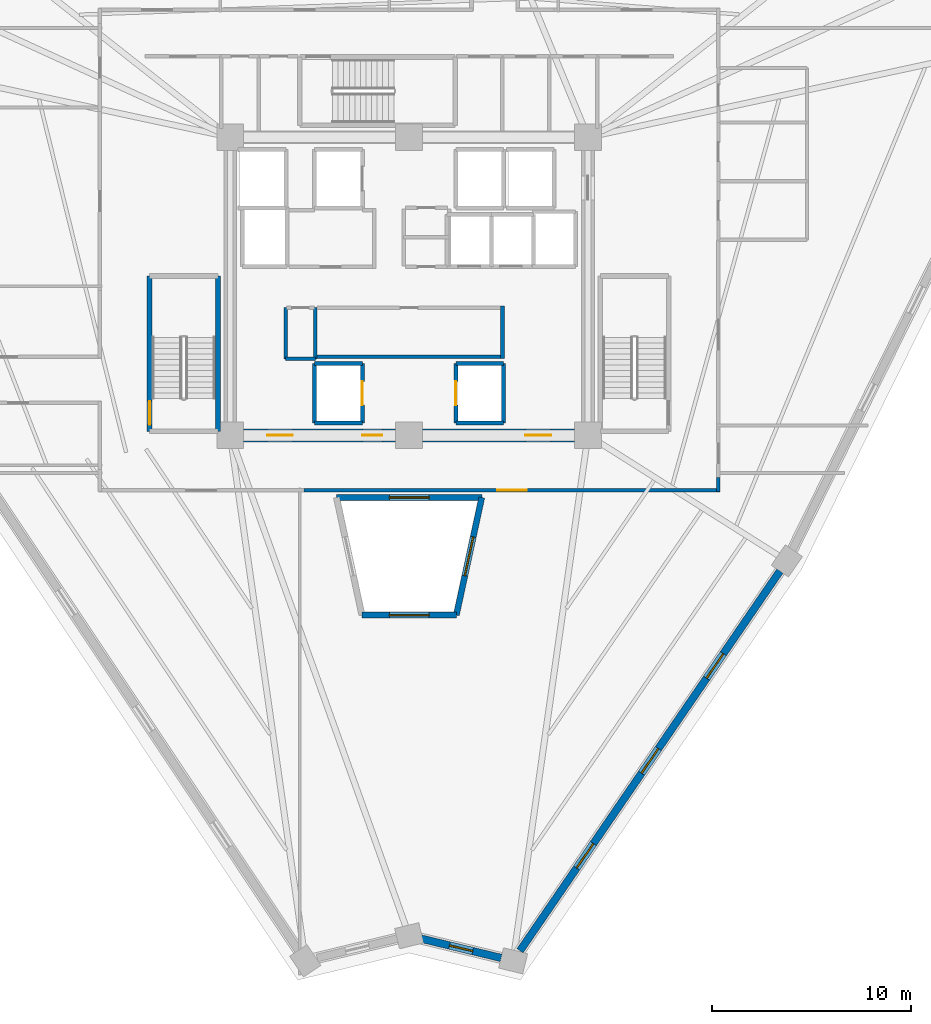
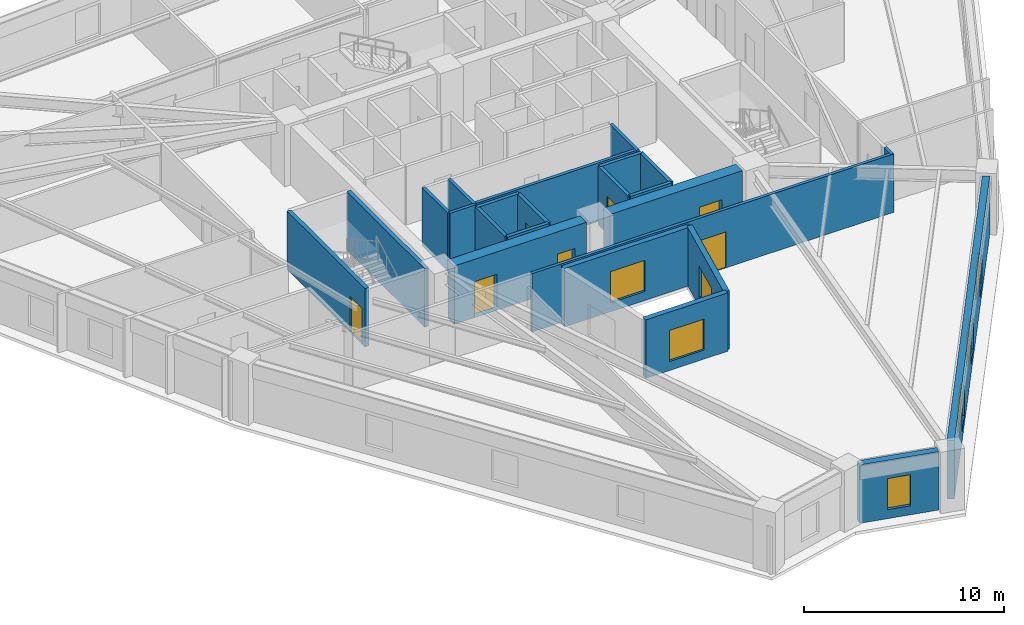
# One storey, part 3 of 8: 24 walls, 7 doors, 7 windows, 14 openings.
"""IFC4 building model written with IfcOpenShell, lengths in metres."""

import ifcopenshell
import ifcopenshell.guid

model = None  # the IFC model being written
_history = None  # IfcOwnerHistory: only IFC2X3 demands one
_inside = {}  # id of a spatial element -> (the spatial element, [elements in it])
_under = {}  # id of a project, library or spatial element -> (it, [spatial elements below it])
_declared = {}  # id of a project -> (the project, [libraries it declares])
_typed = {}  # id of a type object -> (the type object, [elements of that type])
_made_of = {}  # id of a material, layer set ... -> (it, [elements and type objects made of it])


def new_model(schema):
    """Start an empty IFC model of exactly this schema.

    Asked for "IFC4X3", IfcOpenShell would pick the latest addendum, in which some entities
    have other attributes; the version numbers below select the first issue.
    IFC2X3 requires an IfcOwnerHistory on every rooted entity: one is made here for all.
    """
    global model, _history
    if schema == "IFC4X3":
        model = ifcopenshell.file(schema_version=(4, 3, 0, 0))
    else:
        model = ifcopenshell.file(schema=schema)
    _inside.clear()
    _under.clear()
    _declared.clear()
    _typed.clear()
    _made_of.clear()
    _history = None
    if model.schema == "IFC2X3":
        org = make("IfcOrganization", Name="unknown")
        user = make(
            "IfcPersonAndOrganization",
            ThePerson=make("IfcPerson", FamilyName="unknown"),
            TheOrganization=org,
        )
        app = make(
            "IfcApplication",
            ApplicationDeveloper=org,
            Version="unknown",
            ApplicationFullName="unknown",
            ApplicationIdentifier="unknown",
        )
        _history = make(
            "IfcOwnerHistory",
            OwningUser=user,
            OwningApplication=app,
            ChangeAction="ADDED",
            CreationDate=0,
        )
    return model


def make(cls, **values):
    """One entity of the class cls with the attributes given. An attribute that is None is left unset."""
    return model.create_entity(
        cls, **{name: value for name, value in values.items() if value is not None}
    )


def rooted(cls, **values):
    """An entity with a GlobalId (a new one), such as an element, a storey or a relation."""
    return make(cls, GlobalId=ifcopenshell.guid.new(), OwnerHistory=_history, **values)


def si_unit(unit_type, name, prefix=None):
    """IfcSIUnit, for example si_unit("LENGTHUNIT", "METRE", prefix="MILLI")."""
    return make("IfcSIUnit", UnitType=unit_type, Prefix=prefix, Name=name)


def assignment(units):
    """IfcUnitAssignment: the units of a project."""
    return None if units is None else make("IfcUnitAssignment", Units=units)


def point(xyz):
    """IfcCartesianPoint."""
    return None if xyz is None else make("IfcCartesianPoint", Coordinates=xyz)


def direction(xyz):
    """IfcDirection."""
    return None if xyz is None else make("IfcDirection", DirectionRatios=xyz)


def frame(location, z_axis=None, x_axis=None):
    """IfcAxis2Placement3D, a coordinate frame: its origin and axes. An axis left out is left unset."""
    return make(
        "IfcAxis2Placement3D",
        Location=point(location),
        Axis=direction(z_axis),
        RefDirection=direction(x_axis),
    )


def frame_2d(location, x_axis=None):
    """IfcAxis2Placement2D, a coordinate frame in the plane: its origin and x axis."""
    return make(
        "IfcAxis2Placement2D", Location=point(location), RefDirection=direction(x_axis)
    )


def origin():
    """The frame at (0, 0, 0) with its axes left unset."""
    return frame((0.0, 0.0, 0.0))


def place(relative_to, where):
    """IfcLocalPlacement: puts the frame where relative to a parent placement (None: the world)."""
    return make(
        "IfcLocalPlacement", PlacementRelTo=relative_to, RelativePlacement=where
    )


def context(
    kind, dimensions, precision=None, world=None, true_north=None, identifier=None
):
    """IfcGeometricRepresentationContext, for example the 3D "Model" context."""
    return make(
        "IfcGeometricRepresentationContext",
        ContextIdentifier=identifier,
        ContextType=kind,
        CoordinateSpaceDimension=dimensions,
        Precision=precision,
        WorldCoordinateSystem=world,
        TrueNorth=true_north,
    )


def subcontext(parent, identifier, kind, view, scale=None):
    """IfcGeometricRepresentationSubContext, for example "Body" below "Model"."""
    return make(
        "IfcGeometricRepresentationSubContext",
        ContextIdentifier=identifier,
        ContextType=kind,
        ParentContext=parent,
        TargetScale=scale,
        TargetView=view,
    )


def project(units=None, contexts=None):
    """IfcProject with its units and contexts."""
    return rooted(
        "IfcProject",
        Name="project",
        RepresentationContexts=contexts,
        UnitsInContext=assignment(units),
    )


def spatial(cls, under=None, at=None, **own):
    """A site, building, storey or space (cls), placed at a placement, below another one or the project."""
    s = rooted(cls, ObjectPlacement=at, **own)
    if under is not None:
        _under.setdefault(under.id(), (under, []))[1].append(s)
    return s


def profile(cls, at=None, kind="AREA", **sizes):
    """A parametric profile (cls). Its sizes go by their IFC names, for example OverallWidth=200.0."""
    return make(cls, ProfileType=kind, Position=at, **sizes)


def rectangle(**sizes):
    """IfcRectangleProfileDef."""
    return profile("IfcRectangleProfileDef", **sizes)


def extrude(swept, where, along, depth):
    """IfcExtrudedAreaSolid: the profile swept, set in the frame where, extruded along a direction by depth."""
    return make(
        "IfcExtrudedAreaSolid",
        SweptArea=swept,
        Position=where,
        ExtrudedDirection=direction(along),
        Depth=depth,
    )


def shape(context_of_items, identifier, shape_type, items):
    """IfcShapeRepresentation: the items that make up one representation, for example the "Body"."""
    return make(
        "IfcShapeRepresentation",
        ContextOfItems=context_of_items,
        RepresentationIdentifier=identifier,
        RepresentationType=shape_type,
        Items=items,
    )


def source(mapping_origin, context_of_items, identifier, shape_type, items):
    """IfcRepresentationMap: a shape defined once, which mapped items show again and again."""
    return make(
        "IfcRepresentationMap",
        MappingOrigin=mapping_origin,
        MappedRepresentation=shape(context_of_items, identifier, shape_type, items),
    )


def transform(
    local_origin,
    x_axis=None,
    y_axis=None,
    z_axis=None,
    scale=None,
    scale2=None,
    scale3=None,
    uniform=True,
):
    """IfcCartesianTransformationOperator3D, or its non-uniform kind. x_axis, y_axis, z_axis: its Axis1, 2, 3."""
    if uniform:
        return make(
            "IfcCartesianTransformationOperator3D",
            Axis1=direction(x_axis),
            Axis2=direction(y_axis),
            LocalOrigin=point(local_origin),
            Scale=scale,
            Axis3=direction(z_axis),
        )
    return make(
        "IfcCartesianTransformationOperator3DnonUniform",
        Axis1=direction(x_axis),
        Axis2=direction(y_axis),
        LocalOrigin=point(local_origin),
        Scale=scale,
        Axis3=direction(z_axis),
        Scale2=scale2,
        Scale3=scale3,
    )


def mapped(mapping_source, mapping_target):
    """IfcMappedItem: shows the shape of a source again, moved by a transform."""
    return make(
        "IfcMappedItem", MappingSource=mapping_source, MappingTarget=mapping_target
    )


def material(Name=None, Category=None):
    """IfcMaterial."""
    return make("IfcMaterial", Name=Name, Category=Category)


def layer(
    of_material, thickness, ventilated=None, Name=None, Category=None, Priority=None
):
    """IfcMaterialLayer: one layer of a wall or slab, of a material (None: an air gap)."""
    return make(
        "IfcMaterialLayer",
        Material=of_material,
        LayerThickness=thickness,
        IsVentilated=ventilated,
        Name=Name,
        Category=Category,
        Priority=Priority,
    )


def layer_set(layers, Name=None):
    """IfcMaterialLayerSet."""
    return make("IfcMaterialLayerSet", MaterialLayers=layers, LayerSetName=Name)


def made_of(thing, what):
    """Note that an element or type object is made of a material, layer set ...; save() writes the relation."""
    if what is not None:
        _made_of.setdefault(what.id(), (what, []))[1].append(thing)
    return thing


def type_object(cls, material=None, **own):
    """A type object (cls), such as IfcWallType, which elements share."""
    return made_of(rooted(cls, **own), material)


def element(
    cls,
    number,
    at=None,
    inside=None,
    cuts=None,
    type_object=None,
    material=None,
    context=None,
    identifier="Body",
    shape_type=None,
    held_by="IfcProductDefinitionShape",
    body=None,
    shapes=None,
    **own,
):
    """One element of the class cls, such as IfcWall. Its Tag is "e" and its number.

    at: its placement. inside: the storey or other place that contains it. cuts: it is an
    opening in that element (IfcRelVoidsElement). A single representation is given by context,
    identifier, shape_type and body (its items); several are given by shapes. held_by: the class
    of the entity that holds the representations. save() writes the other relations.
    """
    e = rooted(cls, Tag="e%d" % number, ObjectPlacement=at, **own)
    if body is not None:
        shapes = [shape(context, identifier, shape_type, body)]
    if shapes is not None:
        e.Representation = make(held_by, Representations=shapes)
    if inside is not None:
        _inside.setdefault(inside.id(), (inside, []))[1].append(e)
    if cuts is not None:
        rooted(
            "IfcRelVoidsElement", RelatingBuildingElement=cuts, RelatedOpeningElement=e
        )
    if type_object is not None:
        _typed.setdefault(type_object.id(), (type_object, []))[1].append(e)
    return made_of(e, material)


def fill(opening, filler):
    """IfcRelFillsElement: the door or window that sits in an opening."""
    return rooted(
        "IfcRelFillsElement",
        RelatingOpeningElement=opening,
        RelatedBuildingElement=filler,
    )


def aggregate(whole, parts):
    """IfcRelAggregates: a whole, such as a stair, and the parts it consists of."""
    return rooted("IfcRelAggregates", RelatingObject=whole, RelatedObjects=parts)


def save(model, path):
    """Write the relations noted so far, then the file.

    IfcRelAggregates (storeys below a building ...), IfcRelContainedInSpatialStructure (elements
    in a storey), IfcRelDefinesByType, IfcRelAssociatesMaterial and IfcRelDeclares: one each for
    every whole, place, type object, material and project.
    """
    for whole, parts in _under.values():
        aggregate(whole, parts)
    for where, things in _inside.values():
        rooted(
            "IfcRelContainedInSpatialStructure",
            RelatedElements=things,
            RelatingStructure=where,
        )
    for kind, things in _typed.values():
        rooted("IfcRelDefinesByType", RelatedObjects=things, RelatingType=kind)
    for what, things in _made_of.values():
        rooted("IfcRelAssociatesMaterial", RelatedObjects=things, RelatingMaterial=what)
    for by, libraries in _declared.values():
        rooted("IfcRelDeclares", RelatingContext=by, RelatedDefinitions=libraries)
    model.write(path)


model = new_model("IFC4")

# Units and contexts
model_context = context("Model", 3, precision=1e-05, world=origin(), true_north=direction((0.0, 1.0)))
body_context = subcontext(model_context, "Body", "Model", "MODEL_VIEW")
ifc_project = project(units=[si_unit("LENGTHUNIT", "METRE"), si_unit("AREAUNIT", "SQUARE_METRE"), si_unit("VOLUMEUNIT", "CUBIC_METRE"), si_unit("PLANEANGLEUNIT", "RADIAN"), si_unit("MASSUNIT", "GRAM", prefix="KILO")], contexts=[model_context])

# Site, building, storey
site_placement = place(None, origin())
site = spatial("IfcSite", under=ifc_project, at=site_placement, CompositionType="ELEMENT")
building_placement = place(site_placement, origin())
building = spatial("IfcBuilding", under=site, at=building_placement, Name="Liaohun Quay Tower", CompositionType="ELEMENT")
storey_placement = place(building_placement, frame((0.0, 0.0, 251.25)))
storey = spatial("IfcBuildingStorey", under=building, at=storey_placement, Name="L65", CompositionType="ELEMENT", Elevation=251.25)

# Wall, opening, window
ifc_material_1 = material(Name="Concrete C50", Category="concrete")
ifc_layer_1 = layer(ifc_material_1, 0.300048828125, Name="Concrete C50", Category="concrete")
ifc_layer_set_1 = layer_set([ifc_layer_1], Name="Concrete C50")
wall_type_1 = type_object("IfcWallType", Name="WAL-ATR-300", PredefinedType="SOLIDWALL", material=ifc_layer_set_1)
wall_1_placement = place(storey_placement, frame((56.344970703125, 43.3701171875, 0.0), z_axis=(0.0, 0.0, 1.0), x_axis=(1.0, 0.0, 0.0)))
wall_1 = element("IfcWall", 1, at=wall_1_placement, inside=storey, type_object=wall_type_1, Name="L65 Atrium Fire Compartment Wall 2", PredefinedType="SOLIDWALL", context=body_context, shape_type="SweptSolid", body=[
    extrude(rectangle(XDim=7.31005859375, YDim=0.300048828125, at=frame_2d((3.655029296875, 0.0))), origin(), (0.0, 0.0, 1.0), 3.570068359375),
])
shared_shape_1 = source(origin(), body_context, "Body", "SweptSolid", [
    extrude(rectangle(XDim=2.0, YDim=1.89990234375, at=frame_2d((1.0, 0.949951171875))), frame((0.0, 0.159912109375, 0.0), z_axis=(0.0, -1.0, 0.0), x_axis=(1.0, 0.0, 0.0)), (0.0, 0.0, 1.0), 0.320068359375),
])
opening_1_placement = place(wall_1_placement, frame((2.655029296875, 0.0, 0.550048828125)))
opening_1 = element("IfcOpeningElement", 2, at=opening_1_placement, cuts=wall_1, Name="Opening W07", PredefinedType="OPENING", context=body_context, shape_type="MappedRepresentation", body=[
    mapped(shared_shape_1, transform((0.0, 0.0, 0.0), x_axis=(1.0, 0.0, 0.0), y_axis=(0.0, 1.0, 0.0), z_axis=(0.0, 0.0, 1.0), scale=1.0)),
])
ifc_material_2 = material(Name="Class A 180-min fire-resistant insulated glazing", Category="glass")
window_type_1 = type_object("IfcWindowType", Name="WIN-ATR-FIR", PartitioningType="DOUBLE_PANEL_VERTICAL", PredefinedType="WINDOW", material=ifc_material_2)
shared_shape_2 = source(origin(), body_context, "Body", "SweptSolid", [
    extrude(rectangle(XDim=2.0, YDim=1.89990234375, at=frame_2d((1.0, 0.949951171875))), frame((0.0, 0.030029296875, 0.0), z_axis=(0.0, -1.0, 0.0), x_axis=(1.0, 0.0, 0.0)), (0.0, 0.0, 1.0), 0.06005859375),
])
window_1_placement = place(opening_1_placement, origin())
window_1 = element("IfcWindow", 3, at=window_1_placement, inside=storey, type_object=window_type_1, Name="L65 Atrium Fire-Resistant Glazing W07-2", OverallHeight=1.89990234375, OverallWidth=2.0, PartitioningType="DOUBLE_PANEL_VERTICAL", PredefinedType="WINDOW", context=body_context, shape_type="MappedRepresentation", body=[
    mapped(shared_shape_2, transform((0.0, 0.0, 0.0), x_axis=(1.0, 0.0, 0.0), y_axis=(0.0, 1.0, 0.0), z_axis=(0.0, 0.0, 1.0), scale=1.0)),
])
fill(opening_1, window_1)

wall_2_placement = place(storey_placement, frame((63.655029296875, 43.3701171875, 0.0), z_axis=(0.0, 0.0, 1.0), x_axis=(-0.211319253415, -0.977417092717, 0.0)))
wall_2 = element("IfcWall", 4, at=wall_2_placement, inside=storey, type_object=wall_type_1, Name="L65 Atrium Fire Compartment Wall 3", PredefinedType="SOLIDWALL", context=body_context, shape_type="SweptSolid", body=[
    extrude(rectangle(XDim=6.052734375, YDim=0.300048828125, at=frame_2d((3.0263671875, 0.0))), origin(), (0.0, 0.0, 1.0), 3.570068359375),
])
opening_2_placement = place(wall_2_placement, frame((2.02587890625, 0.0, 0.550048828125)))
opening_2 = element("IfcOpeningElement", 5, at=opening_2_placement, cuts=wall_2, Name="Opening W07", PredefinedType="OPENING", context=body_context, shape_type="MappedRepresentation", body=[
    mapped(shared_shape_1, transform((0.0, 0.0, 0.0), x_axis=(1.0, 0.0, 0.0), y_axis=(0.0, 1.0, 0.0), z_axis=(0.0, 0.0, 1.0), scale=1.0)),
])
window_2_placement = place(opening_2_placement, origin())
window_2 = element("IfcWindow", 6, at=window_2_placement, inside=storey, type_object=window_type_1, Name="L65 Atrium Fire-Resistant Glazing W07-3", OverallHeight=1.89990234375, OverallWidth=2.0, PartitioningType="DOUBLE_PANEL_VERTICAL", PredefinedType="WINDOW", context=body_context, shape_type="MappedRepresentation", body=[
    mapped(shared_shape_2, transform((0.0, 0.0, 0.0), x_axis=(1.0, 0.0, 0.0), y_axis=(0.0, 1.0, 0.0), z_axis=(0.0, 0.0, 1.0), scale=1.0)),
])
fill(opening_2, window_2)

wall_3_placement = place(storey_placement, frame((62.3759765625, 37.4541015625, 0.0), z_axis=(0.0, 0.0, 1.0), x_axis=(-1.0, 0.0, 0.0)))
wall_3 = element("IfcWall", 7, at=wall_3_placement, inside=storey, type_object=wall_type_1, Name="L65 Atrium Fire Compartment Wall 4", PredefinedType="SOLIDWALL", context=body_context, shape_type="SweptSolid", body=[
    extrude(rectangle(XDim=4.751953125, YDim=0.300048828125, at=frame_2d((2.3759765625, 0.0))), origin(), (0.0, 0.0, 1.0), 3.570068359375),
])
opening_3_placement = place(wall_3_placement, frame((1.3759765625, 0.0, 0.550048828125)))
opening_3 = element("IfcOpeningElement", 8, at=opening_3_placement, cuts=wall_3, Name="Opening W07", PredefinedType="OPENING", context=body_context, shape_type="MappedRepresentation", body=[
    mapped(shared_shape_1, transform((0.0, 0.0, 0.0), x_axis=(1.0, 0.0, 0.0), y_axis=(0.0, 1.0, 0.0), z_axis=(0.0, 0.0, 1.0), scale=1.0)),
])
window_3_placement = place(opening_3_placement, origin())
window_3 = element("IfcWindow", 9, at=window_3_placement, inside=storey, type_object=window_type_1, Name="L65 Atrium Fire-Resistant Glazing W07-4", OverallHeight=1.89990234375, OverallWidth=2.0, PartitioningType="DOUBLE_PANEL_VERTICAL", PredefinedType="WINDOW", context=body_context, shape_type="MappedRepresentation", body=[
    mapped(shared_shape_2, transform((0.0, 0.0, 0.0), x_axis=(1.0, 0.0, 0.0), y_axis=(0.0, 1.0, 0.0), z_axis=(0.0, 0.0, 1.0), scale=1.0)),
])
fill(opening_3, window_3)

# Wall, opening, door
ifc_material_3 = material(Name="Concrete C55", Category="concrete")
ifc_layer_2 = layer(ifc_material_3, 0.64990234375, Name="Concrete C55", Category="concrete")
ifc_layer_set_2 = layer_set([ifc_layer_2], Name="Concrete C55")
wall_type_2 = type_object("IfcWallType", Name="WAL-COR-Z3", PredefinedType="SHEAR", material=ifc_layer_set_2)
wall_4_placement = place(storey_placement, frame((68.324951171875, 46.5, 0.0), z_axis=(0.0, 0.0, 1.0), x_axis=(-1.0, 0.0, 0.0)))
wall_4 = element("IfcWall", 10, at=wall_4_placement, inside=storey, type_object=wall_type_2, Name="L65 Central Core Shear Wall S-E", PredefinedType="SHEAR", context=body_context, shape_type="SweptSolid", body=[
    extrude(rectangle(XDim=7.64990234375, YDim=0.64990234375, at=frame_2d((3.824951171875, 0.0))), origin(), (0.0, 0.0, 1.0), 3.570068359375),
])
shared_shape_3 = source(origin(), body_context, "Body", "SweptSolid", [
    extrude(rectangle(XDim=1.300048828125, YDim=2.199951171875, at=frame_2d((0.64990234375, 1.10009765625))), frame((0.0, 0.3349609375, 0.0), z_axis=(0.0, -1.0, 0.0), x_axis=(1.0, 0.0, 0.0)), (0.0, 0.0, 1.0), 0.669921875),
])
opening_4_placement = place(wall_4_placement, frame((1.175048828125, 0.0, 0.0)))
opening_4 = element("IfcOpeningElement", 11, at=opening_4_placement, cuts=wall_4, Name="Opening FD1", PredefinedType="OPENING", context=body_context, shape_type="MappedRepresentation", body=[
    mapped(shared_shape_3, transform((0.0, 0.0, 0.0), x_axis=(1.0, 0.0, 0.0), y_axis=(0.0, 1.0, 0.0), z_axis=(0.0, 0.0, 1.0), scale=1.0)),
])
ifc_material_4 = material(Name="Galvanised steel smokeproof fire door", Category="steel")
door_type_1 = type_object("IfcDoorType", Name="DOR-FFL-1300", OperationType="NOTDEFINED", PredefinedType="DOOR", material=ifc_material_4)
shared_shape_4 = source(origin(), body_context, "Body", "SweptSolid", [
    extrude(rectangle(XDim=1.300048828125, YDim=2.199951171875, at=frame_2d((0.64990234375, 1.10009765625))), frame((0.0, 0.02490234375, 0.0), z_axis=(0.0, -1.0, 0.0), x_axis=(1.0, 0.0, 0.0)), (0.0, 0.0, 1.0), 0.050048828125),
])
door_1_placement = place(opening_4_placement, origin())
door_1 = element("IfcDoor", 12, at=door_1_placement, inside=storey, type_object=door_type_1, Name="L65 East Core Lift Lobby Smokeproof Door", OperationType="SINGLE_SWING_LEFT", OverallHeight=2.199951171875, OverallWidth=1.300048828125, PredefinedType="DOOR", context=body_context, shape_type="MappedRepresentation", body=[
    mapped(shared_shape_4, transform((0.0, 0.0, 0.0), x_axis=(1.0, 0.0, 0.0), y_axis=(0.0, 1.0, 0.0), z_axis=(0.0, 0.0, 1.0), scale=1.0)),
])
fill(opening_4, door_1)

# Wall, openings, doors
wall_5_placement = place(storey_placement, frame((59.324951171875, 46.5, 0.0), z_axis=(0.0, 0.0, 1.0), x_axis=(-1.0, 0.0, 0.0)))
wall_5 = element("IfcWall", 13, at=wall_5_placement, inside=storey, type_object=wall_type_2, Name="L65 Central Core Shear Wall S-W", PredefinedType="SHEAR", context=body_context, shape_type="SweptSolid", body=[
    extrude(rectangle(XDim=7.64990234375, YDim=0.64990234375, at=frame_2d((3.824951171875, 0.0))), origin(), (0.0, 0.0, 1.0), 3.570068359375),
])
opening_5_placement = place(wall_5_placement, frame((5.175048828125, 0.0, 0.0)))
opening_5 = element("IfcOpeningElement", 14, at=opening_5_placement, cuts=wall_5, Name="Opening FD1", PredefinedType="OPENING", context=body_context, shape_type="MappedRepresentation", body=[
    mapped(shared_shape_3, transform((0.0, 0.0, 0.0), x_axis=(1.0, 0.0, 0.0), y_axis=(0.0, 1.0, 0.0), z_axis=(0.0, 0.0, 1.0), scale=1.0)),
])
shared_shape_5 = source(origin(), body_context, "Body", "SweptSolid", [
    extrude(rectangle(XDim=1.0, YDim=2.199951171875, at=frame_2d((0.5, 1.10009765625))), frame((0.0, 0.3349609375, 0.0), z_axis=(0.0, -1.0, 0.0), x_axis=(1.0, 0.0, 0.0)), (0.0, 0.0, 1.0), 0.669921875),
])
opening_6_placement = place(wall_5_placement, frame((0.675048828125, 0.0, 0.0)))
opening_6 = element("IfcOpeningElement", 15, at=opening_6_placement, cuts=wall_5, Name="Opening FD2", PredefinedType="OPENING", context=body_context, shape_type="MappedRepresentation", body=[
    mapped(shared_shape_5, transform((0.0, 0.0, 0.0), x_axis=(1.0, 0.0, 0.0), y_axis=(0.0, 1.0, 0.0), z_axis=(0.0, 0.0, 1.0), scale=1.0)),
])
door_2_placement = place(opening_5_placement, origin())
door_2 = element("IfcDoor", 16, at=door_2_placement, inside=storey, type_object=door_type_1, Name="L65 West Core Lift Lobby Smokeproof Door", OperationType="SINGLE_SWING_RIGHT", OverallHeight=2.199951171875, OverallWidth=1.300048828125, PredefinedType="DOOR", context=body_context, shape_type="MappedRepresentation", body=[
    mapped(shared_shape_4, transform((0.0, 0.0, 0.0), x_axis=(1.0, 0.0, 0.0), y_axis=(0.0, 1.0, 0.0), z_axis=(0.0, 0.0, 1.0), scale=1.0)),
])
fill(opening_5, door_2)
ifc_material_5 = material(Name="Galvanised steel smokeproof lobby fire door", Category="steel")
door_type_2 = type_object("IfcDoorType", Name="DOR-FFL-1000", OperationType="NOTDEFINED", PredefinedType="DOOR", material=ifc_material_5)
shared_shape_6 = source(origin(), body_context, "Body", "SweptSolid", [
    extrude(rectangle(XDim=1.0, YDim=2.199951171875, at=frame_2d((0.5, 1.10009765625))), frame((0.0, 0.02490234375, 0.0), z_axis=(0.0, -1.0, 0.0), x_axis=(1.0, 0.0, 0.0)), (0.0, 0.0, 1.0), 0.050048828125),
])
door_3_placement = place(opening_6_placement, origin())
door_3 = element("IfcDoor", 17, at=door_3_placement, inside=storey, type_object=door_type_2, Name="L65 South Firefighting Lobby Smokeproof Door", OperationType="SINGLE_SWING_LEFT", OverallHeight=2.199951171875, OverallWidth=1.0, PredefinedType="DOOR", context=body_context, shape_type="MappedRepresentation", body=[
    mapped(shared_shape_6, transform((0.0, 0.0, 0.0), x_axis=(1.0, 0.0, 0.0), y_axis=(0.0, 1.0, 0.0), z_axis=(0.0, 0.0, 1.0), scale=1.0)),
])
fill(opening_6, door_3)

# Wall, opening, window
ifc_material_6 = material(Name="Precast concrete C50 insulated sandwich", Category="concrete")
ifc_layer_3 = layer(ifc_material_6, 0.3798828125, Name="Precast concrete C50 insulated sandwich", Category="concrete")
ifc_layer_set_3 = layer_set([ifc_layer_3], Name="Precast concrete C50 insulated sandwich")
wall_type_3 = type_object("IfcWallType", Name="WAL-EXT-Z34", PredefinedType="SOLIDWALL", material=ifc_layer_set_3)
wall_6_placement = place(storey_placement, frame((60.597900390625, 21.177001953125, 0.0), z_axis=(0.0, 0.0, 1.0), x_axis=(0.972035019056, -0.234835946414, 0.0)))
wall_6 = element("IfcWall", 18, at=wall_6_placement, inside=storey, type_object=wall_type_3, Name="L65 Brutalist Precast Pier Wall 01", PredefinedType="SOLIDWALL", context=body_context, shape_type="SweptSolid", body=[
    extrude(rectangle(XDim=4.15234375, YDim=0.3798828125, at=frame_2d((2.076171875, 0.0))), origin(), (0.0, 0.0, 1.0), 3.570068359375),
])
shared_shape_7 = source(origin(), body_context, "Body", "SweptSolid", [
    extrude(rectangle(XDim=1.199951171875, YDim=1.89990234375, at=frame_2d((0.60009765625, 0.949951171875))), frame((0.0, 0.199951171875, 0.0), z_axis=(0.0, -1.0, 0.0), x_axis=(1.0, 0.0, 0.0)), (0.0, 0.0, 1.0), 0.39990234375),
])
opening_7_placement = place(wall_6_placement, frame((1.47607421875, 0.0, 0.550048828125)))
opening_7 = element("IfcOpeningElement", 19, at=opening_7_placement, cuts=wall_6, Name="Opening W05", PredefinedType="OPENING", context=body_context, shape_type="MappedRepresentation", body=[
    mapped(shared_shape_7, transform((0.0, 0.0, 0.0), x_axis=(1.0, 0.0, 0.0), y_axis=(0.0, 1.0, 0.0), z_axis=(0.0, 0.0, 1.0), scale=1.0)),
])
ifc_material_7 = material(Name="Triple Low-E corner notch glazing", Category="glass")
window_type_2 = type_object("IfcWindowType", Name="WIN-NOTCH", PartitioningType="SINGLE_PANEL", PredefinedType="WINDOW", material=ifc_material_7)
shared_shape_8 = source(origin(), body_context, "Body", "SweptSolid", [
    extrude(rectangle(XDim=1.199951171875, YDim=1.89990234375, at=frame_2d((0.60009765625, 0.949951171875))), frame((0.0, 0.030029296875, 0.0), z_axis=(0.0, -1.0, 0.0), x_axis=(1.0, 0.0, 0.0)), (0.0, 0.0, 1.0), 0.06005859375),
])
window_4_placement = place(opening_7_placement, origin())
window_4 = element("IfcWindow", 20, at=window_4_placement, inside=storey, type_object=window_type_2, Name="L65 Corner Notch Window W05-01", OverallHeight=1.89990234375, OverallWidth=1.199951171875, PartitioningType="SINGLE_PANEL", PredefinedType="WINDOW", context=body_context, shape_type="MappedRepresentation", body=[
    mapped(shared_shape_8, transform((0.0, 0.0, 0.0), x_axis=(1.0, 0.0, 0.0), y_axis=(0.0, 1.0, 0.0), z_axis=(0.0, 0.0, 1.0), scale=1.0)),
])
fill(opening_7, window_4)

# Wall, openings, windows
wall_7_placement = place(storey_placement, frame((65.5791015625, 20.56494140625, 0.0), z_axis=(0.0, 0.0, 1.0), x_axis=(0.564873617439, 0.825177433235, 0.0)))
wall_7 = element("IfcWall", 21, at=wall_7_placement, inside=storey, type_object=wall_type_3, Name="L65 Brutalist Precast Pier Wall 02", PredefinedType="SOLIDWALL", context=body_context, shape_type="SweptSolid", body=[
    extrude(rectangle(XDim=23.15869140625, YDim=0.3798828125, at=frame_2d((11.579345703125, 0.0))), origin(), (0.0, 0.0, 1.0), 3.570068359375),
])
shared_shape_9 = source(origin(), body_context, "Body", "SweptSolid", [
    extrude(rectangle(XDim=1.5, YDim=1.89990234375, at=frame_2d((0.75, 0.949951171875))), frame((0.0, 0.199951171875, 0.0), z_axis=(0.0, -1.0, 0.0), x_axis=(1.0, 0.0, 0.0)), (0.0, 0.0, 1.0), 0.39990234375),
])
opening_8_placement = place(wall_7_placement, frame((5.0400390625, 0.0, 0.550048828125)))
opening_8 = element("IfcOpeningElement", 22, at=opening_8_placement, cuts=wall_7, Name="Opening W03", PredefinedType="OPENING", context=body_context, shape_type="MappedRepresentation", body=[
    mapped(shared_shape_9, transform((0.0, 0.0, 0.0), x_axis=(1.0, 0.0, 0.0), y_axis=(0.0, 1.0, 0.0), z_axis=(0.0, 0.0, 1.0), scale=1.0)),
])
opening_9_placement = place(wall_7_placement, frame((10.8291015625, 0.0, 0.550048828125)))
opening_9 = element("IfcOpeningElement", 23, at=opening_9_placement, cuts=wall_7, Name="Opening W03", PredefinedType="OPENING", context=body_context, shape_type="MappedRepresentation", body=[
    mapped(shared_shape_9, transform((0.0, 0.0, 0.0), x_axis=(1.0, 0.0, 0.0), y_axis=(0.0, 1.0, 0.0), z_axis=(0.0, 0.0, 1.0), scale=1.0)),
])
opening_10_placement = place(wall_7_placement, frame((16.618896484375, 0.0, 0.550048828125)))
opening_10 = element("IfcOpeningElement", 24, at=opening_10_placement, cuts=wall_7, Name="Opening W03", PredefinedType="OPENING", context=body_context, shape_type="MappedRepresentation", body=[
    mapped(shared_shape_9, transform((0.0, 0.0, 0.0), x_axis=(1.0, 0.0, 0.0), y_axis=(0.0, 1.0, 0.0), z_axis=(0.0, 0.0, 1.0), scale=1.0)),
])
ifc_material_8 = material(Name="Triple Low-E argon glazing in thermally broken aluminium", Category="aluminium")
window_type_3 = type_object("IfcWindowType", Name="WIN-PUN-Z3", PartitioningType="DOUBLE_PANEL_VERTICAL", PredefinedType="WINDOW", material=ifc_material_8)
shared_shape_10 = source(origin(), body_context, "Body", "SweptSolid", [
    extrude(rectangle(XDim=1.5, YDim=1.89990234375, at=frame_2d((0.75, 0.949951171875))), frame((0.0, 0.030029296875, 0.0), z_axis=(0.0, -1.0, 0.0), x_axis=(1.0, 0.0, 0.0)), (0.0, 0.0, 1.0), 0.06005859375),
])
window_5_placement = place(opening_8_placement, origin())
window_5 = element("IfcWindow", 25, at=window_5_placement, inside=storey, type_object=window_type_3, Name="L65 Recessed Cold-Climate Punched Window 02-1", OverallHeight=1.89990234375, OverallWidth=1.5, PartitioningType="DOUBLE_PANEL_VERTICAL", PredefinedType="WINDOW", context=body_context, shape_type="MappedRepresentation", body=[
    mapped(shared_shape_10, transform((0.0, 0.0, 0.0), x_axis=(1.0, 0.0, 0.0), y_axis=(0.0, 1.0, 0.0), z_axis=(0.0, 0.0, 1.0), scale=1.0)),
])
fill(opening_8, window_5)
window_6_placement = place(opening_9_placement, origin())
window_6 = element("IfcWindow", 26, at=window_6_placement, inside=storey, type_object=window_type_3, Name="L65 Recessed Cold-Climate Punched Window 02-2", OverallHeight=1.89990234375, OverallWidth=1.5, PartitioningType="DOUBLE_PANEL_VERTICAL", PredefinedType="WINDOW", context=body_context, shape_type="MappedRepresentation", body=[
    mapped(shared_shape_10, transform((0.0, 0.0, 0.0), x_axis=(1.0, 0.0, 0.0), y_axis=(0.0, 1.0, 0.0), z_axis=(0.0, 0.0, 1.0), scale=1.0)),
])
fill(opening_9, window_6)
window_7_placement = place(opening_10_placement, origin())
window_7 = element("IfcWindow", 27, at=window_7_placement, inside=storey, type_object=window_type_3, Name="L65 Recessed Cold-Climate Punched Window 02-3", OverallHeight=1.89990234375, OverallWidth=1.5, PartitioningType="DOUBLE_PANEL_VERTICAL", PredefinedType="WINDOW", context=body_context, shape_type="MappedRepresentation", body=[
    mapped(shared_shape_10, transform((0.0, 0.0, 0.0), x_axis=(1.0, 0.0, 0.0), y_axis=(0.0, 1.0, 0.0), z_axis=(0.0, 0.0, 1.0), scale=1.0)),
])
fill(opening_10, window_7)

# Wall, opening, door
ifc_material_9 = material(Name="Autoclaved aerated concrete blockwork", Category="masonry")
ifc_layer_4 = layer(ifc_material_9, 0.179931640625, Name="Autoclaved aerated concrete blockwork", Category="masonry")
ifc_layer_set_4 = layer_set([ifc_layer_4], Name="Autoclaved aerated concrete blockwork")
wall_type_4 = type_object("IfcWallType", Name="WAL-PRT-COR", PredefinedType="PARTITIONING", material=ifc_layer_set_4)
wall_8_placement = place(storey_placement, frame((75.6298828125, 43.739990234375, 0.0), z_axis=(0.0, 0.0, 1.0), x_axis=(-1.0, 0.0, 0.0)))
wall_8 = element("IfcWall", 28, at=wall_8_placement, inside=storey, type_object=wall_type_4, Name="L65 Interior Partition Wall 027", PredefinedType="PARTITIONING", context=body_context, shape_type="SweptSolid", body=[
    extrude(rectangle(XDim=20.914794921875, YDim=0.179931640625, at=frame_2d((10.45751953125, 0.0))), origin(), (0.0, 0.0, 1.0), 3.570068359375),
])
shared_shape_11 = source(origin(), body_context, "Body", "SweptSolid", [
    extrude(rectangle(XDim=1.5, YDim=2.199951171875, at=frame_2d((0.75, 1.10009765625))), frame((0.0, 0.099853515625, 0.0), z_axis=(0.0, -1.0, 0.0), x_axis=(1.0, 0.0, 0.0)), (0.0, 0.0, 1.0), 0.199951171875),
])
opening_11_placement = place(wall_8_placement, frame((9.70703125, 0.0, 0.0)))
opening_11 = element("IfcOpeningElement", 29, at=opening_11_placement, cuts=wall_8, Name="Opening OD2", PredefinedType="OPENING", context=body_context, shape_type="MappedRepresentation", body=[
    mapped(shared_shape_11, transform((0.0, 0.0, 0.0), x_axis=(1.0, 0.0, 0.0), y_axis=(0.0, 1.0, 0.0), z_axis=(0.0, 0.0, 1.0), scale=1.0)),
])
ifc_material_10 = material(Name="Acoustic oak veneer double door")
door_type_3 = type_object("IfcDoorType", Name="DOR-OFF-1500", OperationType="DOUBLE_DOOR_SINGLE_SWING", PredefinedType="DOOR", material=ifc_material_10)
shared_shape_12 = source(origin(), body_context, "Body", "SweptSolid", [
    extrude(rectangle(XDim=1.5, YDim=2.199951171875, at=frame_2d((0.75, 1.10009765625))), frame((0.0, 0.02490234375, 0.0), z_axis=(0.0, -1.0, 0.0), x_axis=(1.0, 0.0, 0.0)), (0.0, 0.0, 1.0), 0.050048828125),
])
door_4_placement = place(opening_11_placement, origin())
door_4 = element("IfcDoor", 30, at=door_4_placement, inside=storey, type_object=door_type_3, Name="L65 Client Reception Office 12 Door", OperationType="DOUBLE_DOOR_SINGLE_SWING", OverallHeight=2.199951171875, OverallWidth=1.5, PredefinedType="DOOR", context=body_context, shape_type="MappedRepresentation", body=[
    mapped(shared_shape_12, transform((0.0, 0.0, 0.0), x_axis=(1.0, 0.0, 0.0), y_axis=(0.0, 1.0, 0.0), z_axis=(0.0, 0.0, 1.0), scale=1.0)),
])
fill(opening_11, door_4)

# Walls
wall_9_placement = place(storey_placement, frame((53.7900390625, 50.35009765625, 0.0), z_axis=(0.0, 0.0, 1.0), x_axis=(0.0, 1.0, 0.0)))
element("IfcWall", 31, at=wall_9_placement, inside=storey, type_object=wall_type_4, Name="L65 Interior Partition Wall 032", PredefinedType="PARTITIONING", context=body_context, shape_type="SweptSolid", body=[
    extrude(rectangle(XDim=2.56982421875, YDim=0.179931640625, at=frame_2d((1.284912109375, 0.0))), origin(), (0.0, 0.0, 1.0), 3.570068359375),
])
wall_10_placement = place(storey_placement, frame((53.7900390625, 50.35009765625, 0.0), z_axis=(0.0, 0.0, 1.0), x_axis=(1.0, 0.0, 0.0)))
element("IfcWall", 32, at=wall_10_placement, inside=storey, type_object=wall_type_4, Name="L65 Interior Partition Wall 033", PredefinedType="PARTITIONING", context=body_context, shape_type="SweptSolid", body=[
    extrude(rectangle(XDim=1.489990234375, YDim=0.179931640625, at=frame_2d((0.7451171875, 0.0))), origin(), (0.0, 0.0, 1.0), 3.570068359375),
])
wall_11_placement = place(storey_placement, frame((55.280029296875, 50.35009765625, 0.0), z_axis=(0.0, 0.0, 1.0), x_axis=(0.0, 1.0, 0.0)))
element("IfcWall", 33, at=wall_11_placement, inside=storey, type_object=wall_type_4, Name="L65 Interior Partition Wall 034", PredefinedType="PARTITIONING", context=body_context, shape_type="SweptSolid", body=[
    extrude(rectangle(XDim=2.56982421875, YDim=0.179931640625, at=frame_2d((1.284912109375, 0.0))), origin(), (0.0, 0.0, 1.0), 3.570068359375),
])
wall_12_placement = place(storey_placement, frame((75.56005859375, 44.385009765625, 0.0), z_axis=(0.0, 0.0, 1.0), x_axis=(0.0, -1.0, 0.0)))
element("IfcWall", 34, at=wall_12_placement, inside=storey, type_object=wall_type_4, Name="L65 Interior Partition Wall 053", PredefinedType="PARTITIONING", context=body_context, shape_type="SweptSolid", body=[
    extrude(rectangle(XDim=0.715087890625, YDim=0.179931640625, at=frame_2d((0.357421875, 0.0))), origin(), (0.0, 0.0, 1.0), 3.570068359375),
])
wall_13_placement = place(storey_placement, frame((64.699951171875, 50.360107421875, 0.0), z_axis=(0.0, 0.0, 1.0), x_axis=(0.0, 1.0, 0.0)))
element("IfcWall", 35, at=wall_13_placement, inside=storey, type_object=wall_type_4, Name="L65 Interior Partition Wall 066", PredefinedType="PARTITIONING", context=body_context, shape_type="SweptSolid", body=[
    extrude(rectangle(XDim=2.64990234375, YDim=0.179931640625, at=frame_2d((1.324951171875, 0.0))), origin(), (0.0, 0.0, 1.0), 3.570068359375),
])
wall_14_placement = place(storey_placement, frame((55.3701171875, 50.449951171875, 0.0), z_axis=(0.0, 0.0, 1.0), x_axis=(1.0, 0.0, 0.0)))
element("IfcWall", 36, at=wall_14_placement, inside=storey, type_object=wall_type_4, Name="L65 Interior Partition Wall 067", PredefinedType="PARTITIONING", context=body_context, shape_type="SweptSolid", body=[
    extrude(rectangle(XDim=9.239990234375, YDim=0.179931640625, at=frame_2d((4.6201171875, 0.0))), origin(), (0.0, 0.0, 1.0), 3.570068359375),
])
ifc_layer_5 = layer(ifc_material_1, 0.239990234375, Name="Concrete C50", Category="concrete")
ifc_layer_set_5 = layer_set([ifc_layer_5], Name="Concrete C50")
wall_type_5 = type_object("IfcWallType", Name="WAL-SHF-200", PredefinedType="SOLIDWALL", material=ifc_layer_set_5)
wall_15_placement = place(storey_placement, frame((50.3798828125, 46.699951171875, 0.0), z_axis=(0.0, 0.0, 1.0), x_axis=(0.0, 1.0, 0.0)))
element("IfcWall", 37, at=wall_15_placement, inside=storey, type_object=wall_type_5, Name="L65 Stairwell ST-1 Structural Core Wall E", PredefinedType="SOLIDWALL", context=body_context, shape_type="SweptSolid", body=[
    extrude(rectangle(XDim=7.820068359375, YDim=0.239990234375, at=frame_2d((3.91015625, 0.0))), origin(), (0.0, 0.0, 1.0), 3.570068359375),
])

# Wall, opening, door
wall_16_placement = place(storey_placement, frame((46.93994140625, 54.52001953125, 0.0), z_axis=(0.0, 0.0, 1.0), x_axis=(0.0, -1.0, 0.0)))
wall_16 = element("IfcWall", 38, at=wall_16_placement, inside=storey, type_object=wall_type_5, Name="L65 Stairwell ST-1 Structural Core Wall W", PredefinedType="SOLIDWALL", context=body_context, shape_type="SweptSolid", body=[
    extrude(rectangle(XDim=7.820068359375, YDim=0.239990234375, at=frame_2d((3.91015625, 0.0))), origin(), (0.0, 0.0, 1.0), 3.570068359375),
])
shared_shape_13 = source(origin(), body_context, "Body", "SweptSolid", [
    extrude(rectangle(XDim=1.199951171875, YDim=2.199951171875, at=frame_2d((0.60009765625, 1.10009765625))), frame((0.0, 0.1298828125, 0.0), z_axis=(0.0, -1.0, 0.0), x_axis=(1.0, 0.0, 0.0)), (0.0, 0.0, 1.0), 0.260009765625),
])
opening_12_placement = place(wall_16_placement, frame((6.300048828125, 0.0, 0.0)))
opening_12 = element("IfcOpeningElement", 39, at=opening_12_placement, cuts=wall_16, Name="Opening SD1", PredefinedType="OPENING", context=body_context, shape_type="MappedRepresentation", body=[
    mapped(shared_shape_13, transform((0.0, 0.0, 0.0), x_axis=(1.0, 0.0, 0.0), y_axis=(0.0, 1.0, 0.0), z_axis=(0.0, 0.0, 1.0), scale=1.0)),
])
ifc_material_11 = material(Name="Galvanised steel fire door", Category="steel")
door_type_4 = type_object("IfcDoorType", Name="DOR-STR-1200", OperationType="NOTDEFINED", PredefinedType="DOOR", material=ifc_material_11)
shared_shape_14 = source(origin(), body_context, "Body", "SweptSolid", [
    extrude(rectangle(XDim=1.199951171875, YDim=2.199951171875, at=frame_2d((0.60009765625, 1.10009765625))), frame((0.0, 0.02490234375, 0.0), z_axis=(0.0, -1.0, 0.0), x_axis=(1.0, 0.0, 0.0)), (0.0, 0.0, 1.0), 0.050048828125),
])
door_5_placement = place(opening_12_placement, origin())
door_5 = element("IfcDoor", 40, at=door_5_placement, inside=storey, type_object=door_type_4, Name="L65 Protected Stair ST-1 Fire Door", OperationType="SINGLE_SWING_LEFT", OverallHeight=2.199951171875, OverallWidth=1.199951171875, PredefinedType="DOOR", context=body_context, shape_type="MappedRepresentation", body=[
    mapped(shared_shape_14, transform((0.0, 0.0, 0.0), x_axis=(1.0, 0.0, 0.0), y_axis=(0.0, 1.0, 0.0), z_axis=(0.0, 0.0, 1.0), scale=1.0)),
])
fill(opening_12, door_5)

# Wall
wall_17_placement = place(storey_placement, frame((55.25, 47.1201171875, 0.0), z_axis=(0.0, 0.0, 1.0), x_axis=(1.0, 0.0, 0.0)))
element("IfcWall", 41, at=wall_17_placement, inside=storey, type_object=wall_type_5, Name="L65 Lift FF-01 Hoistway Wall S", PredefinedType="SOLIDWALL", context=body_context, shape_type="SweptSolid", body=[
    extrude(rectangle(XDim=2.39990234375, YDim=0.199951171875, at=frame_2d((1.199951171875, 0.0))), origin(), (0.0, 0.0, 1.0), 3.570068359375),
])

# Wall, opening, door
wall_18_placement = place(storey_placement, frame((57.64990234375, 47.1201171875, 0.0), z_axis=(0.0, 0.0, 1.0), x_axis=(0.0, 1.0, 0.0)))
wall_18 = element("IfcWall", 42, at=wall_18_placement, inside=storey, type_object=wall_type_5, Name="L65 Lift FF-01 Hoistway Wall E", PredefinedType="SOLIDWALL", context=body_context, shape_type="SweptSolid", body=[
    extrude(rectangle(XDim=3.0, YDim=0.199951171875, at=frame_2d((1.5, 0.0))), origin(), (0.0, 0.0, 1.0), 3.570068359375),
])
shared_shape_15 = source(origin(), body_context, "Body", "SweptSolid", [
    extrude(rectangle(XDim=1.199951171875, YDim=2.300048828125, at=frame_2d((0.60009765625, 1.14990234375))), frame((0.0, 0.10986328125, 0.0), z_axis=(0.0, -1.0, 0.0), x_axis=(1.0, 0.0, 0.0)), (0.0, 0.0, 1.0), 0.219970703125),
])
opening_13_placement = place(wall_18_placement, frame((0.89990234375, 0.0, 0.0)))
opening_13 = element("IfcOpeningElement", 43, at=opening_13_placement, cuts=wall_18, Name="Opening LD2", PredefinedType="OPENING", context=body_context, shape_type="MappedRepresentation", body=[
    mapped(shared_shape_15, transform((0.0, 0.0, 0.0), x_axis=(1.0, 0.0, 0.0), y_axis=(0.0, 1.0, 0.0), z_axis=(0.0, 0.0, 1.0), scale=1.0)),
])
ifc_material_12 = material(Name="Brushed stainless steel stretcher landing door", Category="steel")
door_type_5 = type_object("IfcDoorType", Name="DOR-LFT-1200", OperationType="SLIDING_TO_LEFT", PredefinedType="DOOR", material=ifc_material_12)
shared_shape_16 = source(origin(), body_context, "Body", "SweptSolid", [
    extrude(rectangle(XDim=1.199951171875, YDim=2.300048828125, at=frame_2d((0.60009765625, 1.14990234375))), frame((0.0, 0.02490234375, 0.0), z_axis=(0.0, -1.0, 0.0), x_axis=(1.0, 0.0, 0.0)), (0.0, 0.0, 1.0), 0.050048828125),
])
door_6_placement = place(opening_13_placement, origin())
door_6 = element("IfcDoor", 44, at=door_6_placement, inside=storey, type_object=door_type_5, Name="L65 Lift FF-01 Sliding Landing Door", OperationType="SLIDING_TO_LEFT", OverallHeight=2.300048828125, OverallWidth=1.199951171875, PredefinedType="DOOR", context=body_context, shape_type="MappedRepresentation", body=[
    mapped(shared_shape_16, transform((0.0, 0.0, 0.0), x_axis=(1.0, 0.0, 0.0), y_axis=(0.0, 1.0, 0.0), z_axis=(0.0, 0.0, 1.0), scale=1.0)),
])
fill(opening_13, door_6)

# Walls
wall_19_placement = place(storey_placement, frame((57.64990234375, 50.1201171875, 0.0), z_axis=(0.0, 0.0, 1.0), x_axis=(-1.0, 0.0, 0.0)))
element("IfcWall", 45, at=wall_19_placement, inside=storey, type_object=wall_type_5, Name="L65 Lift FF-01 Hoistway Wall N", PredefinedType="SOLIDWALL", context=body_context, shape_type="SweptSolid", body=[
    extrude(rectangle(XDim=2.39990234375, YDim=0.199951171875, at=frame_2d((1.199951171875, 0.0))), origin(), (0.0, 0.0, 1.0), 3.570068359375),
])
wall_20_placement = place(storey_placement, frame((55.25, 50.1201171875, 0.0), z_axis=(0.0, 0.0, 1.0), x_axis=(0.0, -1.0, 0.0)))
element("IfcWall", 46, at=wall_20_placement, inside=storey, type_object=wall_type_5, Name="L65 Lift FF-01 Hoistway Wall W", PredefinedType="SOLIDWALL", context=body_context, shape_type="SweptSolid", body=[
    extrude(rectangle(XDim=3.0, YDim=0.199951171875, at=frame_2d((1.5, 0.0))), origin(), (0.0, 0.0, 1.0), 3.570068359375),
])
wall_21_placement = place(storey_placement, frame((62.35009765625, 47.1201171875, 0.0), z_axis=(0.0, 0.0, 1.0), x_axis=(1.0, 0.0, 0.0)))
element("IfcWall", 47, at=wall_21_placement, inside=storey, type_object=wall_type_5, Name="L65 Lift FF-02 Hoistway Wall S", PredefinedType="SOLIDWALL", context=body_context, shape_type="SweptSolid", body=[
    extrude(rectangle(XDim=2.39990234375, YDim=0.199951171875, at=frame_2d((1.199951171875, 0.0))), origin(), (0.0, 0.0, 1.0), 3.570068359375),
])
wall_22_placement = place(storey_placement, frame((64.75, 47.1201171875, 0.0), z_axis=(0.0, 0.0, 1.0), x_axis=(0.0, 1.0, 0.0)))
element("IfcWall", 48, at=wall_22_placement, inside=storey, type_object=wall_type_5, Name="L65 Lift FF-02 Hoistway Wall E", PredefinedType="SOLIDWALL", context=body_context, shape_type="SweptSolid", body=[
    extrude(rectangle(XDim=3.0, YDim=0.199951171875, at=frame_2d((1.5, 0.0))), origin(), (0.0, 0.0, 1.0), 3.570068359375),
])
wall_23_placement = place(storey_placement, frame((64.75, 50.1201171875, 0.0), z_axis=(0.0, 0.0, 1.0), x_axis=(-1.0, 0.0, 0.0)))
element("IfcWall", 49, at=wall_23_placement, inside=storey, type_object=wall_type_5, Name="L65 Lift FF-02 Hoistway Wall N", PredefinedType="SOLIDWALL", context=body_context, shape_type="SweptSolid", body=[
    extrude(rectangle(XDim=2.39990234375, YDim=0.199951171875, at=frame_2d((1.199951171875, 0.0))), origin(), (0.0, 0.0, 1.0), 3.570068359375),
])

# Wall, opening, door
wall_24_placement = place(storey_placement, frame((62.35009765625, 50.1201171875, 0.0), z_axis=(0.0, 0.0, 1.0), x_axis=(0.0, -1.0, 0.0)))
wall_24 = element("IfcWall", 50, at=wall_24_placement, inside=storey, type_object=wall_type_5, Name="L65 Lift FF-02 Hoistway Wall W", PredefinedType="SOLIDWALL", context=body_context, shape_type="SweptSolid", body=[
    extrude(rectangle(XDim=3.0, YDim=0.199951171875, at=frame_2d((1.5, 0.0))), origin(), (0.0, 0.0, 1.0), 3.570068359375),
])
opening_14_placement = place(wall_24_placement, frame((0.89990234375, 0.0, 0.0)))
opening_14 = element("IfcOpeningElement", 51, at=opening_14_placement, cuts=wall_24, Name="Opening LD2", PredefinedType="OPENING", context=body_context, shape_type="MappedRepresentation", body=[
    mapped(shared_shape_15, transform((0.0, 0.0, 0.0), x_axis=(1.0, 0.0, 0.0), y_axis=(0.0, 1.0, 0.0), z_axis=(0.0, 0.0, 1.0), scale=1.0)),
])
door_7_placement = place(opening_14_placement, origin())
door_7 = element("IfcDoor", 52, at=door_7_placement, inside=storey, type_object=door_type_5, Name="L65 Lift FF-02 Sliding Landing Door", OperationType="SLIDING_TO_LEFT", OverallHeight=2.300048828125, OverallWidth=1.199951171875, PredefinedType="DOOR", context=body_context, shape_type="MappedRepresentation", body=[
    mapped(shared_shape_16, transform((0.0, 0.0, 0.0), x_axis=(1.0, 0.0, 0.0), y_axis=(0.0, 1.0, 0.0), z_axis=(0.0, 0.0, 1.0), scale=1.0)),
])
fill(opening_14, door_7)

save(model, "model.ifc")
